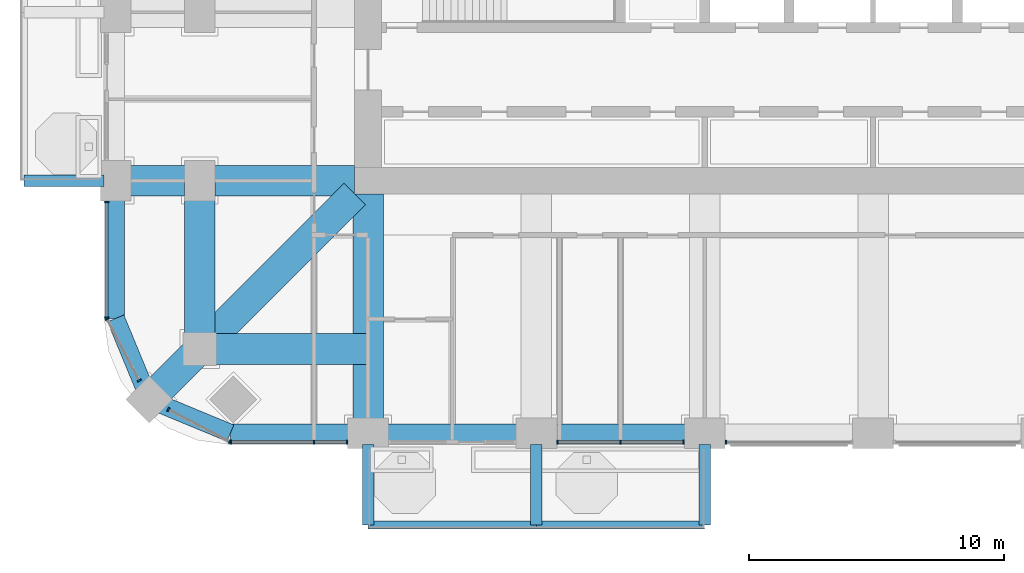
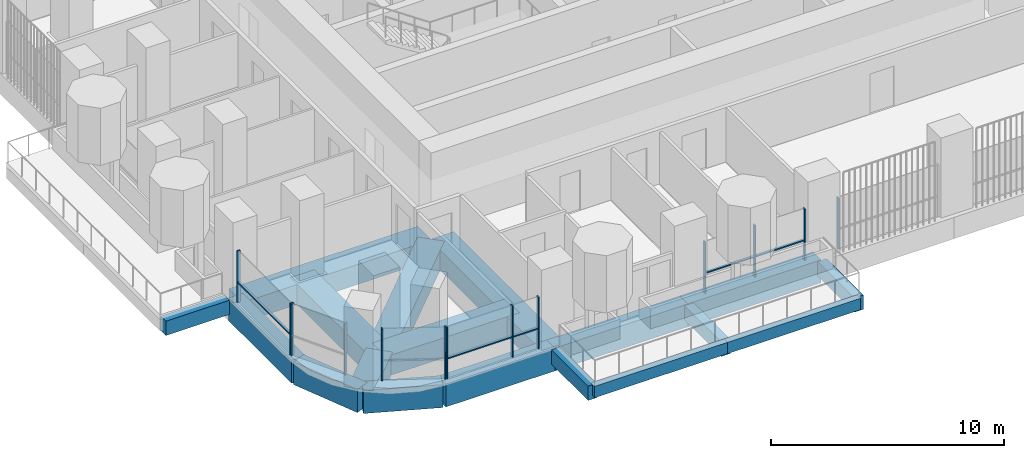
# One storey, part 2 of 19: 18 beams, 18 members, 6 elements without a shape of their own.
"""IFC4 building model written with IfcOpenShell, lengths in metres."""

from ifc_helpers import new_model, si_unit, direction, frame, origin, origin_2d, place, context, subcontext, project, spatial, rectangle, extrude, material, material_profile, profile_set, type_object, element, aggregate, save


model = new_model("IFC4")

# Units and contexts
model_context = context("Model", 3, precision=1e-05, world=origin(), true_north=direction((0.0, 1.0)))
body_context = subcontext(model_context, "Body", "Model", "MODEL_VIEW")
ifc_project = project(units=[si_unit("LENGTHUNIT", "METRE"), si_unit("AREAUNIT", "SQUARE_METRE"), si_unit("VOLUMEUNIT", "CUBIC_METRE"), si_unit("PLANEANGLEUNIT", "RADIAN"), si_unit("MASSUNIT", "GRAM", prefix="KILO")], contexts=[model_context])

# Site, building, storey
site_placement = place(None, origin())
site = spatial("IfcSite", under=ifc_project, at=site_placement, CompositionType="ELEMENT")
building_placement = place(site_placement, origin())
building = spatial("IfcBuilding", under=site, at=building_placement, Name="Cobogo Forest Laboratory Tower", CompositionType="ELEMENT")
storey_placement = place(building_placement, frame((0.0, 0.0, 159.89990234375)))
storey = spatial("IfcBuildingStorey", under=building, at=storey_placement, Name="L36", CompositionType="ELEMENT", Elevation=159.89990234375)

# Beams
ifc_material_1 = material(Name="Concrete HA-40 (C40/50)", Category="concrete")
ifc_material_profile_1 = material_profile(ifc_material_1, rectangle(XDim=0.449951171875, YDim=0.75, at=origin_2d()), Name="RC 450x750")
ifc_profile_set_1 = profile_set([ifc_material_profile_1], Name="Concrete HA-40 (C40/50)")
beam_type_1 = type_object("IfcBeamType", Name="Balcony cantilever beam 450x750", PredefinedType="BEAM", material=ifc_profile_set_1)
for number, where, z_axis, x_axis, name in (
    (1, (13.199951171875, 2.85009765625, -0.625), (0.0, -1.0, 0.0), (1.0, 0.0, 0.0), "CB1 BAL-S1-C1 L36"),
    (2, (19.800048828125, 2.85009765625, -0.625), (0.0, -1.0, 0.0), (1.0, 0.0, 0.0), "CB1 BAL-S1-C2 L36"),
    (3, (26.39990234375, 2.85009765625, -0.625), (0.0, -1.0, 0.0), (1.0, 0.0, 0.0), "CB1 BAL-S1-C3 L36"),
    (4, (2.85009765625, 13.199951171875, -0.625), (-1.0, 0.0, 0.0), (0.0, -1.0, 0.0), "CB1 BAL-W1-C1 L36"),
):
    element("IfcBeam", number, at=place(storey_placement, frame(where, z_axis=z_axis, x_axis=x_axis)), inside=storey, type_object=beam_type_1, Name=name, PredefinedType="BEAM", context=body_context, shape_type="SweptSolid", body=[
        extrude(rectangle(XDim=0.449951171875, YDim=0.75, at=origin_2d()), origin(), (0.0, 0.0, 1.0), 3.150146484375),
    ])
ifc_material_profile_2 = material_profile(ifc_material_1, rectangle(XDim=0.300048828125, YDim=0.60009765625, at=origin_2d()), Name="RC 300x600")
ifc_profile_set_2 = profile_set([ifc_material_profile_2], Name="Concrete HA-40 (C40/50)")
beam_type_2 = type_object("IfcBeamType", Name="Balcony edge beam 300x600", PredefinedType="BEAM", material=ifc_profile_set_2)
beam_1_placement = place(storey_placement, frame((13.199951171875, -0.300048828125, -0.5498046875), z_axis=(1.0, 0.0, 0.0), x_axis=(0.0, 1.0, 0.0)))
element("IfcBeam", 5, at=beam_1_placement, inside=storey, type_object=beam_type_2, Name="BB1 BAL-S1-T1 L36", PredefinedType="BEAM", context=body_context, shape_type="SweptSolid", body=[
    extrude(rectangle(XDim=0.300048828125, YDim=0.60009765625, at=origin_2d()), origin(), (0.0, 0.0, 1.0), 6.60009765625),
])
beam_2_placement = place(storey_placement, frame((19.800048828125, -0.300048828125, -0.5498046875), z_axis=(1.0, 0.0, 0.0), x_axis=(0.0, 1.0, 0.0)))
element("IfcBeam", 6, at=beam_2_placement, inside=storey, type_object=beam_type_2, Name="BB1 BAL-S1-T2 L36", PredefinedType="BEAM", context=body_context, shape_type="SweptSolid", body=[
    extrude(rectangle(XDim=0.300048828125, YDim=0.60009765625, at=origin_2d()), origin(), (0.0, 0.0, 1.0), 6.599853515625),
])
ifc_material_profile_3 = material_profile(ifc_material_1, rectangle(XDim=1.199951171875, YDim=1.050048828125, at=origin_2d()), Name="RC 1200x1050")
ifc_profile_set_3 = profile_set([ifc_material_profile_3], Name="Concrete HA-40 (C40/50)")
beam_type_3 = type_object("IfcBeamType", Name="Laboratory floor wide beam 1200x1050", PredefinedType="BEAM", material=ifc_profile_set_3)
for number, where, z_axis, x_axis, name in (
    (7, (13.199951171875, 12.675048828125, -0.824951171875), (0.0, -1.0, 0.0), (1.0, 0.0, 0.0), "RB1 R-3-S L36"),
    (8, (12.675048828125, 13.199951171875, -0.824951171875), (-1.0, 0.0, 0.0), (0.0, -1.0, 0.0), "RB1 R-C-W L36"),
):
    element("IfcBeam", number, at=place(storey_placement, frame(where, z_axis=z_axis, x_axis=x_axis)), inside=storey, type_object=beam_type_3, Name=name, PredefinedType="BEAM", context=body_context, shape_type="SweptSolid", body=[
        extrude(rectangle(XDim=1.199951171875, YDim=1.050048828125, at=origin_2d()), origin(), (0.0, 0.0, 1.0), 9.375),
    ])
for number, where, z_axis, x_axis, name in (
    (9, (6.60009765625, 6.60009765625, -0.824951171875), (0.0, 1.0, 0.0), (-1.0, 0.0, 0.0), "RB1 G-SW-XC L36"),
    (10, (6.60009765625, 6.60009765625, -0.824951171875), (1.0, 0.0, 0.0), (0.0, 1.0, 0.0), "RB1 G-SW-YC L36"),
):
    element("IfcBeam", number, at=place(storey_placement, frame(where, z_axis=z_axis, x_axis=x_axis)), inside=storey, type_object=beam_type_3, Name=name, PredefinedType="BEAM", context=body_context, shape_type="SweptSolid", body=[
        extrude(rectangle(XDim=1.199951171875, YDim=1.050048828125, at=origin_2d()), origin(), (0.0, 0.0, 1.0), 6.599853515625),
    ])
beam_3_placement = place(storey_placement, frame((4.617919921875, 4.617919921875, -0.824951171875), z_axis=(0.707106781187, 0.707106781187, 0.0), x_axis=(-0.707106781187, 0.707106781187, 0.0)))
element("IfcBeam", 11, at=beam_3_placement, inside=storey, type_object=beam_type_3, Name="RB1 G-SW-D1 L36", PredefinedType="BEAM", context=body_context, shape_type="SweptSolid", body=[
    extrude(rectangle(XDim=1.199951171875, YDim=1.050048828125, at=origin_2d()), origin(), (0.0, 0.0, 1.0), 2.80322265625),
])
beam_4_placement = place(storey_placement, frame((6.60009765625, 6.60009765625, -0.824951171875), z_axis=(0.707106781187, 0.707106781187, 0.0), x_axis=(-0.707106781187, 0.707106781187, 0.0)))
element("IfcBeam", 12, at=beam_4_placement, inside=storey, type_object=beam_type_3, Name="RB1 G-SW-D2 L36", PredefinedType="BEAM", context=body_context, shape_type="SweptSolid", body=[
    extrude(rectangle(XDim=1.199951171875, YDim=1.050048828125, at=origin_2d()), origin(), (0.0, 0.0, 1.0), 8.59130859375),
])

# Curtain wall, members
ifc_material_2 = material(Name="Aluminium curtain wall", Category="aluminium")
curtain_wall_type = type_object("IfcCurtainWallType", Name="CW-2 unitised curtain wall, solar control glazing, laboratory floors zones C and D", PredefinedType="USERDEFINED", material=ifc_material_2)
curtain_wall_1_placement = place(storey_placement, origin())
curtain_wall_1 = element("IfcCurtainWall", 13, at=curtain_wall_1_placement, inside=storey, type_object=curtain_wall_type, Name="Curtain wall 01 L36", ObjectType="UNITISED CURTAIN WALL", PredefinedType="USERDEFINED")
ifc_material_3 = material(Name="Aluminium mullion", Category="aluminium")
ifc_material_profile_4 = material_profile(ifc_material_3, rectangle(XDim=0.06005859375, YDim=0.159912109375, at=origin_2d()), Name="AL 60x160")
ifc_profile_set_4 = profile_set([ifc_material_profile_4], Name="Aluminium mullion")
member_type_1 = type_object("IfcMemberType", Name="MU-1 aluminium mullion 60x160", PredefinedType="MULLION", material=ifc_profile_set_4)
member_1_placement = place(storey_placement, frame((7.830078125, 2.949951171875, 0.0), z_axis=(0.0, 0.0, 1.0), x_axis=(1.0, 0.0, 0.0)))
member_1 = element("IfcMember", 14, at=member_1_placement, type_object=member_type_1, Name="CW-2 mullion 1", PredefinedType="MULLION", context=body_context, shape_type="SweptSolid", body=[
    extrude(rectangle(XDim=0.06005859375, YDim=0.159912109375, at=origin_2d()), origin(), (0.0, 0.0, 1.0), 2.7001953125),
])
member_2_placement = place(storey_placement, frame((11.074951171875, 2.949951171875, 0.0), z_axis=(0.0, 0.0, 1.0), x_axis=(1.0, 0.0, 0.0)))
member_2 = element("IfcMember", 15, at=member_2_placement, type_object=member_type_1, Name="CW-2 mullion 2", PredefinedType="MULLION", context=body_context, shape_type="SweptSolid", body=[
    extrude(rectangle(XDim=0.06005859375, YDim=0.159912109375, at=origin_2d()), origin(), (0.0, 0.0, 1.0), 2.7001953125),
])
member_3_placement = place(storey_placement, frame((12.3701171875, 2.949951171875, 0.0), z_axis=(0.0, 0.0, 1.0), x_axis=(1.0, 0.0, 0.0)))
member_3 = element("IfcMember", 16, at=member_3_placement, type_object=member_type_1, Name="CW-2 mullion 3", PredefinedType="MULLION", context=body_context, shape_type="SweptSolid", body=[
    extrude(rectangle(XDim=0.06005859375, YDim=0.159912109375, at=origin_2d()), origin(), (0.0, 0.0, 1.0), 2.7001953125),
])

curtain_wall_2_placement = place(storey_placement, origin())
curtain_wall_2 = element("IfcCurtainWall", 17, at=curtain_wall_2_placement, inside=storey, type_object=curtain_wall_type, Name="Curtain wall 03 L36", ObjectType="UNITISED CURTAIN WALL", PredefinedType="USERDEFINED")
member_4_placement = place(storey_placement, frame((20.6298828125, 2.949951171875, 0.0), z_axis=(0.0, 0.0, 1.0), x_axis=(1.0, 0.0, 0.0)))
member_4 = element("IfcMember", 18, at=member_4_placement, type_object=member_type_1, Name="CW-2 mullion 1", PredefinedType="MULLION", context=body_context, shape_type="SweptSolid", body=[
    extrude(rectangle(XDim=0.06005859375, YDim=0.159912109375, at=origin_2d()), origin(), (0.0, 0.0, 1.0), 2.7001953125),
])
member_5_placement = place(storey_placement, frame((23.10009765625, 2.949951171875, 0.0), z_axis=(0.0, 0.0, 1.0), x_axis=(1.0, 0.0, 0.0)))
member_5 = element("IfcMember", 19, at=member_5_placement, type_object=member_type_1, Name="CW-2 mullion 2", PredefinedType="MULLION", context=body_context, shape_type="SweptSolid", body=[
    extrude(rectangle(XDim=0.06005859375, YDim=0.159912109375, at=origin_2d()), origin(), (0.0, 0.0, 1.0), 2.7001953125),
])
member_6_placement = place(storey_placement, frame((25.570068359375, 2.949951171875, 0.0), z_axis=(0.0, 0.0, 1.0), x_axis=(1.0, 0.0, 0.0)))
member_6 = element("IfcMember", 20, at=member_6_placement, type_object=member_type_1, Name="CW-2 mullion 3", PredefinedType="MULLION", context=body_context, shape_type="SweptSolid", body=[
    extrude(rectangle(XDim=0.06005859375, YDim=0.159912109375, at=origin_2d()), origin(), (0.0, 0.0, 1.0), 2.7001953125),
])

# Curtain wall, member
curtain_wall_3_placement = place(storey_placement, origin())
curtain_wall_3 = element("IfcCurtainWall", 21, at=curtain_wall_3_placement, inside=storey, type_object=curtain_wall_type, Name="Curtain wall 04 L36", ObjectType="UNITISED CURTAIN WALL", PredefinedType="USERDEFINED")
member_7_placement = place(storey_placement, frame((27.22998046875, 2.949951171875, 0.0), z_axis=(0.0, 0.0, 1.0), x_axis=(1.0, 0.0, 0.0)))
member_7 = element("IfcMember", 22, at=member_7_placement, type_object=member_type_1, Name="CW-2 mullion 1", PredefinedType="MULLION", context=body_context, shape_type="SweptSolid", body=[
    extrude(rectangle(XDim=0.06005859375, YDim=0.159912109375, at=origin_2d()), origin(), (0.0, 0.0, 1.0), 2.7001953125),
])
aggregate(curtain_wall_3, [member_7])

# Curtain wall, members
curtain_wall_4_placement = place(storey_placement, origin())
curtain_wall_4 = element("IfcCurtainWall", 23, at=curtain_wall_4_placement, inside=storey, type_object=curtain_wall_type, Name="Curtain wall 28 L36", ObjectType="UNITISED CURTAIN WALL", PredefinedType="USERDEFINED")
member_8_placement = place(storey_placement, frame((2.949951171875, 12.3701171875, 0.0), z_axis=(0.0, 0.0, 1.0), x_axis=(0.0, -1.0, 0.0)))
member_8 = element("IfcMember", 24, at=member_8_placement, type_object=member_type_1, Name="CW-2 mullion 1", PredefinedType="MULLION", context=body_context, shape_type="SweptSolid", body=[
    extrude(rectangle(XDim=0.06005859375, YDim=0.159912109375, at=origin_2d()), origin(), (0.0, 0.0, 1.0), 2.7001953125),
])
member_9_placement = place(storey_placement, frame((2.949951171875, 7.830078125, 0.0), z_axis=(0.0, 0.0, 1.0), x_axis=(0.0, -1.0, 0.0)))
member_9 = element("IfcMember", 25, at=member_9_placement, type_object=member_type_1, Name="CW-2 mullion 2", PredefinedType="MULLION", context=body_context, shape_type="SweptSolid", body=[
    extrude(rectangle(XDim=0.06005859375, YDim=0.159912109375, at=origin_2d()), origin(), (0.0, 0.0, 1.0), 2.7001953125),
])

curtain_wall_5_placement = place(storey_placement, origin())
curtain_wall_5 = element("IfcCurtainWall", 26, at=curtain_wall_5_placement, inside=storey, type_object=curtain_wall_type, Name="Curtain wall 29 L36", ObjectType="UNITISED CURTAIN WALL", PredefinedType="USERDEFINED")
member_10_placement = place(storey_placement, frame((2.9638671875, 7.7734375, 0.0), z_axis=(0.0, 0.0, 1.0), x_axis=(0.464283685186, -0.885686547075, 0.0)))
member_10 = element("IfcMember", 27, at=member_10_placement, type_object=member_type_1, Name="CW-2 mullion 1", PredefinedType="MULLION", context=body_context, shape_type="SweptSolid", body=[
    extrude(rectangle(XDim=0.06005859375, YDim=0.159912109375, at=origin_2d()), origin(), (0.0, 0.0, 1.0), 2.7001953125),
])
member_11_placement = place(storey_placement, frame((4.224609375, 5.368408203125, 0.0), z_axis=(0.0, 0.0, 1.0), x_axis=(0.464283685186, -0.885686547075, 0.0)))
member_11 = element("IfcMember", 28, at=member_11_placement, type_object=member_type_1, Name="CW-2 mullion 2", PredefinedType="MULLION", context=body_context, shape_type="SweptSolid", body=[
    extrude(rectangle(XDim=0.06005859375, YDim=0.159912109375, at=origin_2d()), origin(), (0.0, 0.0, 1.0), 2.7001953125),
])
aggregate(curtain_wall_5, [member_10, member_11])

curtain_wall_6_placement = place(storey_placement, origin())
curtain_wall_6 = element("IfcCurtainWall", 29, at=curtain_wall_6_placement, inside=storey, type_object=curtain_wall_type, Name="Curtain wall 30 L36", ObjectType="UNITISED CURTAIN WALL", PredefinedType="USERDEFINED")
member_12_placement = place(storey_placement, frame((5.368408203125, 4.224609375, 0.0), z_axis=(0.0, 0.0, 1.0), x_axis=(0.885686547075, -0.464283685186, 0.0)))
member_12 = element("IfcMember", 30, at=member_12_placement, type_object=member_type_1, Name="CW-2 mullion 1", PredefinedType="MULLION", context=body_context, shape_type="SweptSolid", body=[
    extrude(rectangle(XDim=0.06005859375, YDim=0.159912109375, at=origin_2d()), origin(), (0.0, 0.0, 1.0), 2.7001953125),
])
member_13_placement = place(storey_placement, frame((7.7734375, 2.9638671875, 0.0), z_axis=(0.0, 0.0, 1.0), x_axis=(0.885686547075, -0.464283685186, 0.0)))
member_13 = element("IfcMember", 31, at=member_13_placement, type_object=member_type_1, Name="CW-2 mullion 2", PredefinedType="MULLION", context=body_context, shape_type="SweptSolid", body=[
    extrude(rectangle(XDim=0.06005859375, YDim=0.159912109375, at=origin_2d()), origin(), (0.0, 0.0, 1.0), 2.7001953125),
])
aggregate(curtain_wall_6, [member_12, member_13])

# Beams
ifc_material_profile_5 = material_profile(ifc_material_1, rectangle(XDim=0.699951171875, YDim=1.199951171875, at=origin_2d()), Name="RC 700x1200")
ifc_profile_set_5 = profile_set([ifc_material_profile_5], Name="Concrete HA-40 (C40/50)")
beam_type_4 = type_object("IfcBeamType", Name="Perimeter edge beam 700x1200", PredefinedType="BEAM", material=ifc_profile_set_5)
beam_5_placement = place(storey_placement, frame((13.199951171875, 3.300048828125, -0.89990234375), z_axis=(1.0, 0.0, 0.0), x_axis=(0.0, 1.0, 0.0)))
element("IfcBeam", 32, at=beam_5_placement, inside=storey, type_object=beam_type_4, Name="EB1 E-S1 L36", PredefinedType="BEAM", context=body_context, shape_type="SweptSolid", body=[
    extrude(rectangle(XDim=0.699951171875, YDim=1.199951171875, at=origin_2d()), origin(), (0.0, 0.0, 1.0), 6.60009765625),
])
beam_6_placement = place(storey_placement, frame((19.800048828125, 3.300048828125, -0.89990234375), z_axis=(1.0, 0.0, 0.0), x_axis=(0.0, 1.0, 0.0)))
element("IfcBeam", 33, at=beam_6_placement, inside=storey, type_object=beam_type_4, Name="EB1 E-S2 L36", PredefinedType="BEAM", context=body_context, shape_type="SweptSolid", body=[
    extrude(rectangle(XDim=0.699951171875, YDim=1.199951171875, at=origin_2d()), origin(), (0.0, 0.0, 1.0), 6.599853515625),
])
beam_7_placement = place(storey_placement, frame((13.199951171875, 3.300048828125, -0.89990234375), z_axis=(-1.0, 0.0, 0.0), x_axis=(0.0, -1.0, 0.0)))
element("IfcBeam", 34, at=beam_7_placement, inside=storey, type_object=beam_type_4, Name="EB1 E-SWS1 L36", PredefinedType="BEAM", context=body_context, shape_type="SweptSolid", body=[
    extrude(rectangle(XDim=0.699951171875, YDim=1.199951171875, at=origin_2d()), origin(), (0.0, 0.0, 1.0), 5.39990234375),
])
beam_8_placement = place(storey_placement, frame((7.800048828125, 3.300048828125, -0.89990234375), z_axis=(-0.923901072997, 0.382631424892, 0.0), x_axis=(-0.382631424892, -0.923901072997, 0.0)))
element("IfcBeam", 35, at=beam_8_placement, inside=storey, type_object=beam_type_4, Name="EB1 E-SWS2 L36", PredefinedType="BEAM", context=body_context, shape_type="SweptSolid", body=[
    extrude(rectangle(XDim=0.699951171875, YDim=1.199951171875, at=origin_2d()), origin(), (0.0, 0.0, 1.0), 3.4443359375),
])
beam_9_placement = place(storey_placement, frame((3.300048828125, 13.199951171875, -0.89990234375), z_axis=(0.0, -1.0, 0.0), x_axis=(1.0, 0.0, 0.0)))
element("IfcBeam", 36, at=beam_9_placement, inside=storey, type_object=beam_type_4, Name="EB1 E-SWW1 L36", PredefinedType="BEAM", context=body_context, shape_type="SweptSolid", body=[
    extrude(rectangle(XDim=0.699951171875, YDim=1.199951171875, at=origin_2d()), origin(), (0.0, 0.0, 1.0), 5.39990234375),
])
beam_10_placement = place(storey_placement, frame((3.300048828125, 7.800048828125, -0.89990234375), z_axis=(0.382631424892, -0.923901072997, 0.0), x_axis=(0.923901072997, 0.382631424892, 0.0)))
element("IfcBeam", 37, at=beam_10_placement, inside=storey, type_object=beam_type_4, Name="EB1 E-SWW2 L36", PredefinedType="BEAM", context=body_context, shape_type="SweptSolid", body=[
    extrude(rectangle(XDim=0.699951171875, YDim=1.199951171875, at=origin_2d()), origin(), (0.0, 0.0, 1.0), 3.4443359375),
])

# Member
ifc_material_4 = material(Name="Aluminium transom", Category="aluminium")
ifc_material_profile_6 = material_profile(ifc_material_4, rectangle(XDim=0.1201171875, YDim=0.06005859375, at=origin_2d()), Name="AL 60x120")
ifc_profile_set_6 = profile_set([ifc_material_profile_6], Name="Aluminium transom")
member_type_2 = type_object("IfcMemberType", Name="TR-1 aluminium transom 60x120", PredefinedType="USERDEFINED", material=ifc_profile_set_6)
member_14_placement = place(storey_placement, frame((7.860107421875, 2.949951171875, 1.050048828125), z_axis=(1.0, 0.0, 0.0), x_axis=(0.0, 1.0, 0.0)))
member_14 = element("IfcMember", 38, at=member_14_placement, type_object=member_type_2, Name="CW-2 transom 1.1", ObjectType="TRANSOM", PredefinedType="USERDEFINED", context=body_context, shape_type="SweptSolid", body=[
    extrude(rectangle(XDim=0.1201171875, YDim=0.06005859375, at=origin_2d()), origin(), (0.0, 0.0, 1.0), 3.184814453125),
])

member_15_placement = place(storey_placement, frame((11.10498046875, 2.949951171875, 1.050048828125), z_axis=(1.0, 0.0, 0.0), x_axis=(0.0, 1.0, 0.0)))
member_15 = element("IfcMember", 39, at=member_15_placement, type_object=member_type_2, Name="CW-2 transom 2.1", ObjectType="TRANSOM", PredefinedType="USERDEFINED", context=body_context, shape_type="SweptSolid", body=[
    extrude(rectangle(XDim=0.1201171875, YDim=0.06005859375, at=origin_2d()), origin(), (0.0, 0.0, 1.0), 1.235107421875),
])

aggregate(curtain_wall_1, [member_1, member_2, member_3, member_14, member_15])

member_16_placement = place(storey_placement, frame((20.659912109375, 2.949951171875, 1.050048828125), z_axis=(1.0, 0.0, 0.0), x_axis=(0.0, 1.0, 0.0)))
member_16 = element("IfcMember", 40, at=member_16_placement, type_object=member_type_2, Name="CW-2 transom 1.1", ObjectType="TRANSOM", PredefinedType="USERDEFINED", context=body_context, shape_type="SweptSolid", body=[
    extrude(rectangle(XDim=0.1201171875, YDim=0.06005859375, at=origin_2d()), origin(), (0.0, 0.0, 1.0), 2.41015625),
])

member_17_placement = place(storey_placement, frame((23.1298828125, 2.949951171875, 1.050048828125), z_axis=(1.0, 0.0, 0.0), x_axis=(0.0, 1.0, 0.0)))
member_17 = element("IfcMember", 41, at=member_17_placement, type_object=member_type_2, Name="CW-2 transom 2.1", ObjectType="TRANSOM", PredefinedType="USERDEFINED", context=body_context, shape_type="SweptSolid", body=[
    extrude(rectangle(XDim=0.1201171875, YDim=0.06005859375, at=origin_2d()), origin(), (0.0, 0.0, 1.0), 2.41015625),
])

aggregate(curtain_wall_2, [member_4, member_5, member_6, member_16, member_17])

member_18_placement = place(storey_placement, frame((2.949951171875, 12.340087890625, 1.050048828125), z_axis=(0.0, -1.0, 0.0), x_axis=(1.0, 0.0, 0.0)))
member_18 = element("IfcMember", 42, at=member_18_placement, type_object=member_type_2, Name="CW-2 transom 1.1", ObjectType="TRANSOM", PredefinedType="USERDEFINED", context=body_context, shape_type="SweptSolid", body=[
    extrude(rectangle(XDim=0.1201171875, YDim=0.06005859375, at=origin_2d()), origin(), (0.0, 0.0, 1.0), 4.47998046875),
])

aggregate(curtain_wall_4, [member_8, member_9, member_18])

save(model, "model.ifc")
